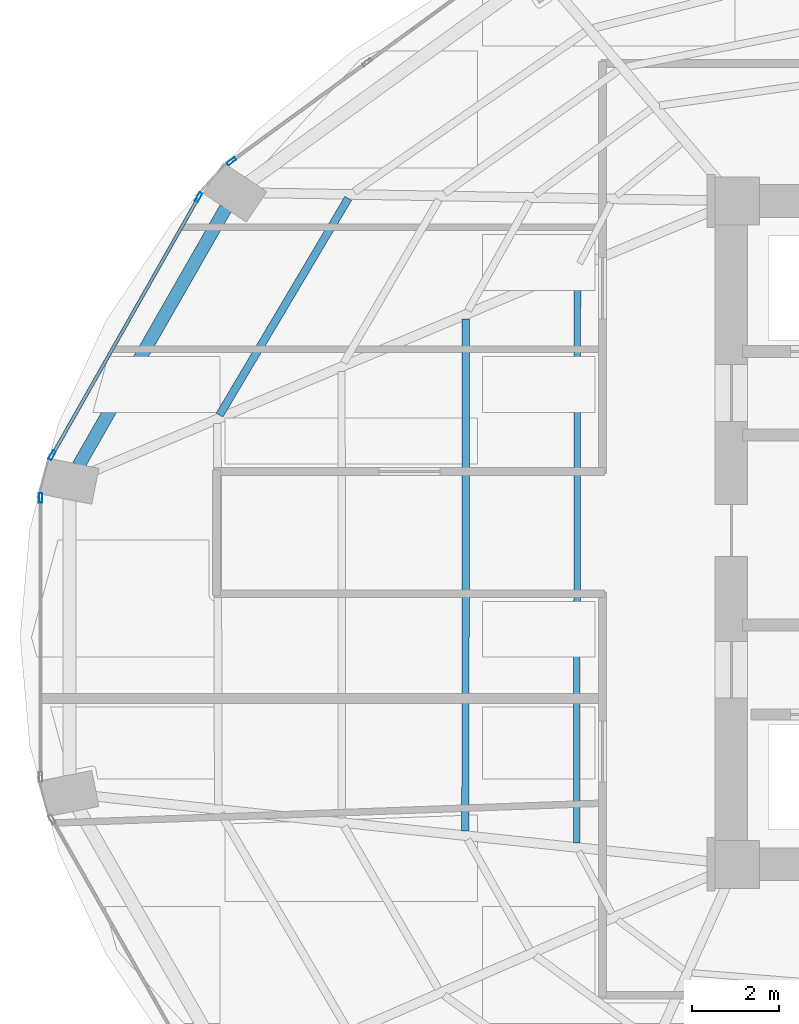
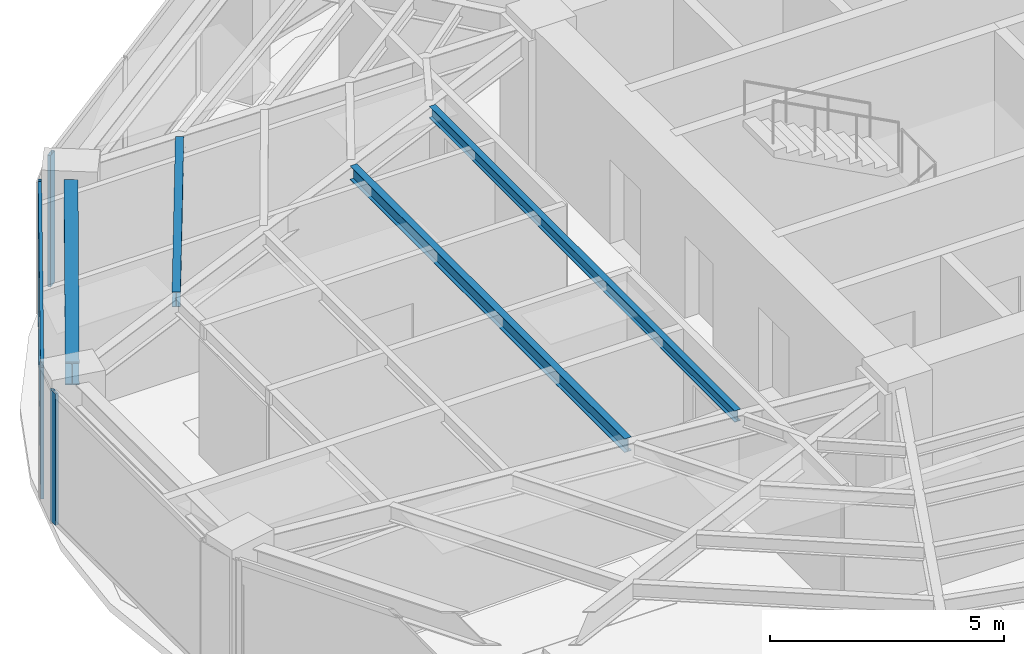
# One storey, part 8 of 23: 6 members, 4 beams, 3 elements without a shape of their own.
"""IFC4 building model written with IfcOpenShell, lengths in metres."""

import ifcopenshell
import ifcopenshell.guid

model = None  # the IFC model being written
_history = None  # IfcOwnerHistory: only IFC2X3 demands one
_inside = {}  # id of a spatial element -> (the spatial element, [elements in it])
_under = {}  # id of a project, library or spatial element -> (it, [spatial elements below it])
_declared = {}  # id of a project -> (the project, [libraries it declares])
_typed = {}  # id of a type object -> (the type object, [elements of that type])
_made_of = {}  # id of a material, layer set ... -> (it, [elements and type objects made of it])


def new_model(schema):
    """Start an empty IFC model of exactly this schema.

    Asked for "IFC4X3", IfcOpenShell would pick the latest addendum, in which some entities
    have other attributes; the version numbers below select the first issue.
    IFC2X3 requires an IfcOwnerHistory on every rooted entity: one is made here for all.
    """
    global model, _history
    if schema == "IFC4X3":
        model = ifcopenshell.file(schema_version=(4, 3, 0, 0))
    else:
        model = ifcopenshell.file(schema=schema)
    _inside.clear()
    _under.clear()
    _declared.clear()
    _typed.clear()
    _made_of.clear()
    _history = None
    if model.schema == "IFC2X3":
        org = make("IfcOrganization", Name="unknown")
        user = make(
            "IfcPersonAndOrganization",
            ThePerson=make("IfcPerson", FamilyName="unknown"),
            TheOrganization=org,
        )
        app = make(
            "IfcApplication",
            ApplicationDeveloper=org,
            Version="unknown",
            ApplicationFullName="unknown",
            ApplicationIdentifier="unknown",
        )
        _history = make(
            "IfcOwnerHistory",
            OwningUser=user,
            OwningApplication=app,
            ChangeAction="ADDED",
            CreationDate=0,
        )
    return model


def make(cls, **values):
    """One entity of the class cls with the attributes given. An attribute that is None is left unset."""
    return model.create_entity(
        cls, **{name: value for name, value in values.items() if value is not None}
    )


def rooted(cls, **values):
    """An entity with a GlobalId (a new one), such as an element, a storey or a relation."""
    return make(cls, GlobalId=ifcopenshell.guid.new(), OwnerHistory=_history, **values)


def si_unit(unit_type, name, prefix=None):
    """IfcSIUnit, for example si_unit("LENGTHUNIT", "METRE", prefix="MILLI")."""
    return make("IfcSIUnit", UnitType=unit_type, Prefix=prefix, Name=name)


def assignment(units):
    """IfcUnitAssignment: the units of a project."""
    return None if units is None else make("IfcUnitAssignment", Units=units)


def point(xyz):
    """IfcCartesianPoint."""
    return None if xyz is None else make("IfcCartesianPoint", Coordinates=xyz)


def direction(xyz):
    """IfcDirection."""
    return None if xyz is None else make("IfcDirection", DirectionRatios=xyz)


def frame(location, z_axis=None, x_axis=None):
    """IfcAxis2Placement3D, a coordinate frame: its origin and axes. An axis left out is left unset."""
    return make(
        "IfcAxis2Placement3D",
        Location=point(location),
        Axis=direction(z_axis),
        RefDirection=direction(x_axis),
    )


def frame_2d(location, x_axis=None):
    """IfcAxis2Placement2D, a coordinate frame in the plane: its origin and x axis."""
    return make(
        "IfcAxis2Placement2D", Location=point(location), RefDirection=direction(x_axis)
    )


def origin():
    """The frame at (0, 0, 0) with its axes left unset."""
    return frame((0.0, 0.0, 0.0))


def origin_2d():
    """The frame at (0, 0) in the plane with its x axis left unset."""
    return frame_2d((0.0, 0.0))


def place(relative_to, where):
    """IfcLocalPlacement: puts the frame where relative to a parent placement (None: the world)."""
    return make(
        "IfcLocalPlacement", PlacementRelTo=relative_to, RelativePlacement=where
    )


def context(
    kind, dimensions, precision=None, world=None, true_north=None, identifier=None
):
    """IfcGeometricRepresentationContext, for example the 3D "Model" context."""
    return make(
        "IfcGeometricRepresentationContext",
        ContextIdentifier=identifier,
        ContextType=kind,
        CoordinateSpaceDimension=dimensions,
        Precision=precision,
        WorldCoordinateSystem=world,
        TrueNorth=true_north,
    )


def subcontext(parent, identifier, kind, view, scale=None):
    """IfcGeometricRepresentationSubContext, for example "Body" below "Model"."""
    return make(
        "IfcGeometricRepresentationSubContext",
        ContextIdentifier=identifier,
        ContextType=kind,
        ParentContext=parent,
        TargetScale=scale,
        TargetView=view,
    )


def project(units=None, contexts=None):
    """IfcProject with its units and contexts."""
    return rooted(
        "IfcProject",
        Name="project",
        RepresentationContexts=contexts,
        UnitsInContext=assignment(units),
    )


def spatial(cls, under=None, at=None, **own):
    """A site, building, storey or space (cls), placed at a placement, below another one or the project."""
    s = rooted(cls, ObjectPlacement=at, **own)
    if under is not None:
        _under.setdefault(under.id(), (under, []))[1].append(s)
    return s


def profile(cls, at=None, kind="AREA", **sizes):
    """A parametric profile (cls). Its sizes go by their IFC names, for example OverallWidth=200.0."""
    return make(cls, ProfileType=kind, Position=at, **sizes)


def hollow_rectangle(**sizes):
    """IfcRectangleHollowProfileDef."""
    return profile("IfcRectangleHollowProfileDef", **sizes)


def i_section(**sizes):
    """IfcIShapeProfileDef."""
    return profile("IfcIShapeProfileDef", **sizes)


def extrude(swept, where, along, depth):
    """IfcExtrudedAreaSolid: the profile swept, set in the frame where, extruded along a direction by depth."""
    return make(
        "IfcExtrudedAreaSolid",
        SweptArea=swept,
        Position=where,
        ExtrudedDirection=direction(along),
        Depth=depth,
    )


def shape(context_of_items, identifier, shape_type, items):
    """IfcShapeRepresentation: the items that make up one representation, for example the "Body"."""
    return make(
        "IfcShapeRepresentation",
        ContextOfItems=context_of_items,
        RepresentationIdentifier=identifier,
        RepresentationType=shape_type,
        Items=items,
    )


def material(Name=None, Category=None):
    """IfcMaterial."""
    return make("IfcMaterial", Name=Name, Category=Category)


def layer(
    of_material, thickness, ventilated=None, Name=None, Category=None, Priority=None
):
    """IfcMaterialLayer: one layer of a wall or slab, of a material (None: an air gap)."""
    return make(
        "IfcMaterialLayer",
        Material=of_material,
        LayerThickness=thickness,
        IsVentilated=ventilated,
        Name=Name,
        Category=Category,
        Priority=Priority,
    )


def layer_set(layers, Name=None):
    """IfcMaterialLayerSet."""
    return make("IfcMaterialLayerSet", MaterialLayers=layers, LayerSetName=Name)


def material_profile(
    of_material, cross_section, Name=None, Category=None, Priority=None
):
    """IfcMaterialProfile: a cross section and its material."""
    return make(
        "IfcMaterialProfile",
        Name=Name,
        Material=of_material,
        Profile=cross_section,
        Priority=Priority,
        Category=Category,
    )


def profile_set(profiles, Name=None, composite=None):
    """IfcMaterialProfileSet."""
    return make(
        "IfcMaterialProfileSet",
        Name=Name,
        MaterialProfiles=profiles,
        CompositeProfile=composite,
    )


def made_of(thing, what):
    """Note that an element or type object is made of a material, layer set ...; save() writes the relation."""
    if what is not None:
        _made_of.setdefault(what.id(), (what, []))[1].append(thing)
    return thing


def type_object(cls, material=None, **own):
    """A type object (cls), such as IfcWallType, which elements share."""
    return made_of(rooted(cls, **own), material)


def element(
    cls,
    number,
    at=None,
    inside=None,
    cuts=None,
    type_object=None,
    material=None,
    context=None,
    identifier="Body",
    shape_type=None,
    held_by="IfcProductDefinitionShape",
    body=None,
    shapes=None,
    **own,
):
    """One element of the class cls, such as IfcWall. Its Tag is "e" and its number.

    at: its placement. inside: the storey or other place that contains it. cuts: it is an
    opening in that element (IfcRelVoidsElement). A single representation is given by context,
    identifier, shape_type and body (its items); several are given by shapes. held_by: the class
    of the entity that holds the representations. save() writes the other relations.
    """
    e = rooted(cls, Tag="e%d" % number, ObjectPlacement=at, **own)
    if body is not None:
        shapes = [shape(context, identifier, shape_type, body)]
    if shapes is not None:
        e.Representation = make(held_by, Representations=shapes)
    if inside is not None:
        _inside.setdefault(inside.id(), (inside, []))[1].append(e)
    if cuts is not None:
        rooted(
            "IfcRelVoidsElement", RelatingBuildingElement=cuts, RelatedOpeningElement=e
        )
    if type_object is not None:
        _typed.setdefault(type_object.id(), (type_object, []))[1].append(e)
    return made_of(e, material)


def aggregate(whole, parts):
    """IfcRelAggregates: a whole, such as a stair, and the parts it consists of."""
    return rooted("IfcRelAggregates", RelatingObject=whole, RelatedObjects=parts)


def save(model, path):
    """Write the relations noted so far, then the file.

    IfcRelAggregates (storeys below a building ...), IfcRelContainedInSpatialStructure (elements
    in a storey), IfcRelDefinesByType, IfcRelAssociatesMaterial and IfcRelDeclares: one each for
    every whole, place, type object, material and project.
    """
    for whole, parts in _under.values():
        aggregate(whole, parts)
    for where, things in _inside.values():
        rooted(
            "IfcRelContainedInSpatialStructure",
            RelatedElements=things,
            RelatingStructure=where,
        )
    for kind, things in _typed.values():
        rooted("IfcRelDefinesByType", RelatedObjects=things, RelatingType=kind)
    for what, things in _made_of.values():
        rooted("IfcRelAssociatesMaterial", RelatedObjects=things, RelatingMaterial=what)
    for by, libraries in _declared.values():
        rooted("IfcRelDeclares", RelatingContext=by, RelatedDefinitions=libraries)
    model.write(path)


model = new_model("IFC4")

# Units and contexts
model_context = context("Model", 3, precision=1e-05, world=origin(), true_north=direction((0.0, 1.0)))
body_context = subcontext(model_context, "Body", "Model", "MODEL_VIEW")
ifc_project = project(units=[si_unit("LENGTHUNIT", "METRE"), si_unit("AREAUNIT", "SQUARE_METRE"), si_unit("VOLUMEUNIT", "CUBIC_METRE"), si_unit("PLANEANGLEUNIT", "RADIAN"), si_unit("MASSUNIT", "GRAM", prefix="KILO")], contexts=[model_context])

# Site, building, storey
site_placement = place(None, origin())
site = spatial("IfcSite", under=ifc_project, at=site_placement, CompositionType="ELEMENT")
building_placement = place(site_placement, origin())
building = spatial("IfcBuilding", under=site, at=building_placement, Name="Lazwardi Medical Tower", CompositionType="ELEMENT")
storey_placement = place(building_placement, frame((0.0, 0.0, 92.68798828125)))
storey = spatial("IfcBuildingStorey", under=building, at=storey_placement, Name="L23", CompositionType="ELEMENT", Elevation=92.68798828125)

# Beams
ifc_material_1 = material(Name="Steel S355", Category="steel")
ifc_material_profile_1 = material_profile(ifc_material_1, i_section(OverallWidth=0.300048828125, OverallDepth=0.60009765625, WebThickness=0.015380859375, FlangeThickness=0.030029296875, at=origin_2d()), Name="HEB 600")
ifc_profile_set_1 = profile_set([ifc_material_profile_1], Name="Steel S355")
beam_type_1 = type_object("IfcBeamType", Name="BM-RB-Z2", PredefinedType="BEAM", material=ifc_profile_set_1)
beam_1_placement = place(storey_placement, frame((14.718505859375, 35.438720703125, 3.1279296875), z_axis=(-0.496653025517, -0.867949176072, 0.0), x_axis=(0.867949176072, -0.496653025517, 0.0)))
element("IfcBeam", 1, at=beam_1_placement, inside=storey, type_object=beam_type_1, Name="Ring beam RB-03 B11 L23", PredefinedType="BEAM", context=body_context, shape_type="SweptSolid", body=[
    extrude(i_section(OverallWidth=0.300048828125, OverallDepth=0.60009765625, WebThickness=0.015380859375, FlangeThickness=0.030029296875, at=origin_2d()), origin(), (0.0, 0.0, 1.0), 6.80078125),
])
ifc_material_profile_2 = material_profile(ifc_material_1, i_section(OverallWidth=0.179931640625, OverallDepth=0.39990234375, WebThickness=0.008544921875, FlangeThickness=0.013427734375, at=origin_2d()), Name="IPE 400")
ifc_profile_set_2 = profile_set([ifc_material_profile_2], Name="Steel S355")
beam_type_2 = type_object("IfcBeamType", Name="BM-SJ-01", PredefinedType="JOIST", material=ifc_profile_set_2)
beam_2_placement = place(storey_placement, frame((17.52099609375, 35.659423828125, 3.22802734375), z_axis=(-0.510499691073, -0.859877936346, 0.0), x_axis=(0.859877936346, -0.510499691073, 0.0)))
element("IfcBeam", 2, at=beam_2_placement, inside=storey, type_object=beam_type_2, Name="Secondary joist SJ-01 R1 B11 L23", PredefinedType="JOIST", context=body_context, shape_type="SweptSolid", body=[
    extrude(i_section(OverallWidth=0.179931640625, OverallDepth=0.39990234375, WebThickness=0.008544921875, FlangeThickness=0.013427734375, at=origin_2d()), origin(), (0.0, 0.0, 1.0), 5.776123046875),
])
ifc_material_profile_3 = material_profile(ifc_material_1, i_section(OverallWidth=0.169921875, OverallDepth=0.360107421875, WebThickness=0.008056640625, FlangeThickness=0.0126953125, at=origin_2d()), Name="IPE 360")
ifc_profile_set_3 = profile_set([ifc_material_profile_3], Name="Steel S355")
beam_type_3 = type_object("IfcBeamType", Name="BM-SJ-02", PredefinedType="JOIST", material=ifc_profile_set_3)
beam_3_placement = place(storey_placement, frame((20.212890625, 32.892578125, 3.248046875), z_axis=(-0.000561961365, -0.9999998421, 0.0), x_axis=(0.9999998421, -0.000561961365, 0.0)))
element("IfcBeam", 3, at=beam_3_placement, inside=storey, type_object=beam_type_3, Name="Secondary joist SJ-02 R3 B12 L23", PredefinedType="JOIST", context=body_context, shape_type="SweptSolid", body=[
    extrude(i_section(OverallWidth=0.169921875, OverallDepth=0.360107421875, WebThickness=0.008056640625, FlangeThickness=0.0126953125, at=origin_2d()), origin(), (0.0, 0.0, 1.0), 11.72998046875),
])
ifc_material_profile_4 = material_profile(ifc_material_1, i_section(OverallWidth=0.14990234375, OverallDepth=0.300048828125, WebThickness=0.007080078125, FlangeThickness=0.0107421875, at=origin_2d()), Name="IPE 300")
ifc_profile_set_4 = profile_set([ifc_material_profile_4], Name="Steel S355")
beam_type_4 = type_object("IfcBeamType", Name="BM-SJ-03", PredefinedType="JOIST", material=ifc_profile_set_4)
beam_4_placement = place(storey_placement, frame((22.77490234375, 33.97021484375, 3.278076171875), z_axis=(-0.00156809843, -0.999998770533, 0.0), x_axis=(0.999998770533, -0.00156809843, 0.0)))
element("IfcBeam", 4, at=beam_4_placement, inside=storey, type_object=beam_type_4, Name="Secondary joist SJ-03 R4 B12 L23", PredefinedType="JOIST", context=body_context, shape_type="SweptSolid", body=[
    extrude(i_section(OverallWidth=0.14990234375, OverallDepth=0.300048828125, WebThickness=0.007080078125, FlangeThickness=0.0107421875, at=origin_2d()), origin(), (0.0, 0.0, 1.0), 13.078125),
])

# Curtain wall, member
ifc_material_2 = material(Name="Anodised bronze aluminium and solar control glazing", Category="aluminium")
ifc_layer = layer(ifc_material_2, 0.195068359375)
ifc_layer_set = layer_set([ifc_layer], Name="Anodised bronze aluminium and solar control glazing")
curtain_wall_type = type_object("IfcCurtainWallType", Name="CW-SYS-03", PredefinedType="NOTDEFINED", material=ifc_layer_set)
curtain_wall_1_placement = place(storey_placement, origin())
curtain_wall_1 = element("IfcCurtainWall", 5, at=curtain_wall_1_placement, inside=storey, type_object=curtain_wall_type, Name="L23 Unitised bronze curtain wall CW-03", PredefinedType="NOTDEFINED")
ifc_material_3 = material(Name="Anodised bronze aluminium", Category="aluminium")
ifc_material_profile_5 = material_profile(ifc_material_3, hollow_rectangle(XDim=0.074951171875, YDim=0.219970703125, WallThickness=0.00390625, at=origin_2d()), Name="ALU-MULLION 220x75x4")
ifc_profile_set_5 = profile_set([ifc_material_profile_5], Name="Anodised bronze aluminium")
member_type_1 = type_object("IfcMemberType", Name="CW-MUL-01", PredefinedType="MULLION", material=ifc_profile_set_5)
member_1_placement = place(storey_placement, frame((14.844970703125, 36.5087890625, 0.0), z_axis=(0.0, 0.0, 1.0), x_axis=(0.589530882802, -0.807745837639, 0.0)))
member_1 = element("IfcMember", 6, at=member_1_placement, type_object=member_type_1, Name="CW-03 mullion 3", PredefinedType="MULLION", context=body_context, shape_type="SweptSolid", body=[
    extrude(hollow_rectangle(XDim=0.074951171875, YDim=0.219970703125, WallThickness=0.00390625, at=origin_2d()), origin(), (0.0, 0.0, 1.0), 3.427978515625),
])
aggregate(curtain_wall_1, [member_1])

# Curtain wall, members
curtain_wall_2_placement = place(storey_placement, origin())
curtain_wall_2 = element("IfcCurtainWall", 7, at=curtain_wall_2_placement, inside=storey, type_object=curtain_wall_type, Name="L23 Unitised bronze curtain wall CW-03", PredefinedType="NOTDEFINED")
member_2_placement = place(storey_placement, frame((14.0927734375, 35.685791015625, 0.0), z_axis=(0.0, 0.0, 1.0), x_axis=(0.869687265712, -0.493603140041, 0.0)))
member_2 = element("IfcMember", 8, at=member_2_placement, type_object=member_type_1, Name="CW-03 mullion 1", PredefinedType="MULLION", context=body_context, shape_type="SweptSolid", body=[
    extrude(hollow_rectangle(XDim=0.074951171875, YDim=0.219970703125, WallThickness=0.00390625, at=origin_2d()), origin(), (0.0, 0.0, 1.0), 3.427978515625),
])
member_3_placement = place(storey_placement, frame((10.7373046875, 29.77392578125, 0.0), z_axis=(0.0, 0.0, 1.0), x_axis=(0.869687265712, -0.493603140041, 0.0)))
member_3 = element("IfcMember", 9, at=member_3_placement, type_object=member_type_1, Name="CW-03 mullion 2", PredefinedType="MULLION", context=body_context, shape_type="SweptSolid", body=[
    extrude(hollow_rectangle(XDim=0.074951171875, YDim=0.219970703125, WallThickness=0.00390625, at=origin_2d()), origin(), (0.0, 0.0, 1.0), 3.427978515625),
])

# Curtain wall, member
curtain_wall_3_placement = place(storey_placement, origin())
curtain_wall_3 = element("IfcCurtainWall", 10, at=curtain_wall_3_placement, inside=storey, type_object=curtain_wall_type, Name="L23 Unitised bronze curtain wall CW-03", PredefinedType="NOTDEFINED")
member_4_placement = place(storey_placement, frame((10.471923828125, 28.79736328125, 0.0), z_axis=(0.0, 0.0, 1.0), x_axis=(1.0, 0.0, 0.0)))
member_4 = element("IfcMember", 11, at=member_4_placement, type_object=member_type_1, Name="CW-03 mullion 1", PredefinedType="MULLION", context=body_context, shape_type="SweptSolid", body=[
    extrude(hollow_rectangle(XDim=0.074951171875, YDim=0.219970703125, WallThickness=0.00390625, at=origin_2d()), origin(), (0.0, 0.0, 1.0), 3.427978515625),
])
aggregate(curtain_wall_3, [member_4])

# Member
ifc_material_profile_6 = material_profile(ifc_material_3, hollow_rectangle(XDim=0.074951171875, YDim=0.159912109375, WallThickness=0.00390625, at=origin_2d()), Name="ALU-TRANSOM 160x75x4")
ifc_profile_set_6 = profile_set([ifc_material_profile_6], Name="Anodised bronze aluminium")
member_type_2 = type_object("IfcMemberType", Name="CW-TRN-01", PredefinedType="USERDEFINED", material=ifc_profile_set_6)
member_5_placement = place(storey_placement, frame((14.074462890625, 35.6533203125, 0.03759765625), z_axis=(-0.493614427365, -0.869680859337, 0.0), x_axis=(0.869680859337, -0.493614427365, 0.0)))
member_5 = element("IfcMember", 12, at=member_5_placement, type_object=member_type_2, Name="CW-03 transom 1.1", ObjectType="TRANSOM", PredefinedType="USERDEFINED", context=body_context, shape_type="SweptSolid", body=[
    extrude(hollow_rectangle(XDim=0.074951171875, YDim=0.159912109375, WallThickness=0.00390625, at=origin_2d()), origin(), (0.0, 0.0, 1.0), 6.72314453125),
])

member_6_placement = place(storey_placement, frame((14.074462890625, 35.6533203125, 3.390625), z_axis=(-0.493614427365, -0.869680859337, 0.0), x_axis=(0.869680859337, -0.493614427365, 0.0)))
member_6 = element("IfcMember", 13, at=member_6_placement, type_object=member_type_2, Name="CW-03 transom 1.2", ObjectType="TRANSOM", PredefinedType="USERDEFINED", context=body_context, shape_type="SweptSolid", body=[
    extrude(hollow_rectangle(XDim=0.074951171875, YDim=0.159912109375, WallThickness=0.00390625, at=origin_2d()), origin(), (0.0, 0.0, 1.0), 6.72314453125),
])

aggregate(curtain_wall_2, [member_2, member_3, member_5, member_6])

save(model, "model.ifc")
